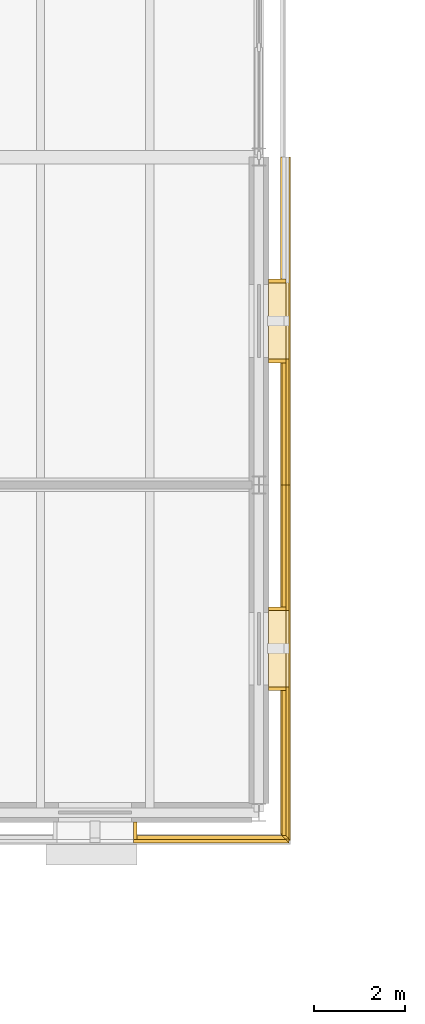
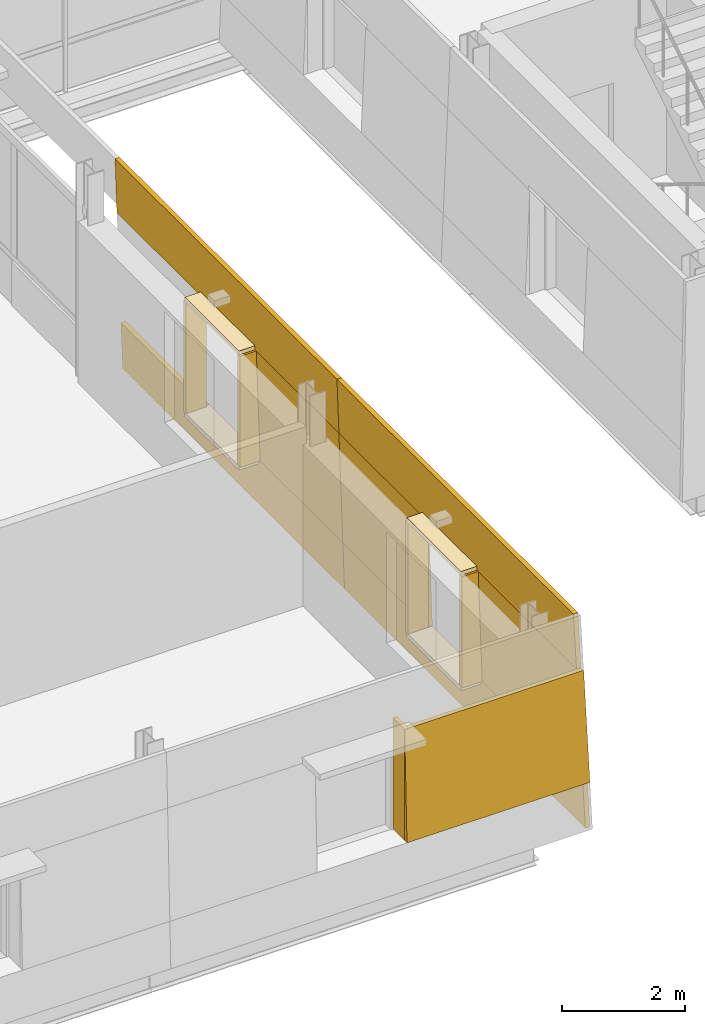
# One storey, part 96 of 115: 17 coverings.
"""IFC4 building model written with IfcOpenShell, lengths in metres."""

from ifc_helpers import new_model, si_unit, direction, frame, origin, place, context, subcontext, project, spatial, polyline, outline, extrude, material, layer, layer_set, type_object, element, save


model = new_model("IFC4")

# Units and contexts
model_context = context("Model", 3, precision=1e-05, world=origin(), true_north=direction((0.0, 1.0)))
body_context = subcontext(model_context, "Body", "Model", "MODEL_VIEW")
ifc_project = project(units=[si_unit("LENGTHUNIT", "METRE"), si_unit("AREAUNIT", "SQUARE_METRE"), si_unit("VOLUMEUNIT", "CUBIC_METRE"), si_unit("PLANEANGLEUNIT", "RADIAN"), si_unit("MASSUNIT", "GRAM", prefix="KILO")], contexts=[model_context])

# Site, building, storey
site_placement = place(None, origin())
site = spatial("IfcSite", under=ifc_project, at=site_placement, CompositionType="ELEMENT")
building_placement = place(site_placement, origin())
building = spatial("IfcBuilding", under=site, at=building_placement, Name="Narikvali Park Central Library", CompositionType="ELEMENT")
storey_placement = place(building_placement, frame((0.0, 0.0, 10.199951171875)))
storey = spatial("IfcBuildingStorey", under=building, at=storey_placement, Name="L02", CompositionType="ELEMENT", Elevation=10.199951171875)

# Coverings
ifc_material = material(Name="White Honed Limestone Cladding", Category="masonry")
ifc_layer_1 = layer(ifc_material, 0.0849609375, Name="White Honed Limestone Cladding")
ifc_layer_set_1 = layer_set([ifc_layer_1], Name="White Honed Limestone Cladding")
covering_type_1 = type_object("IfcCoveringType", Name="Battered White Limestone Facade Cladding Panel", PredefinedType="CLADDING", material=ifc_layer_set_1)
covering_1_placement = place(storey_placement, frame((54.840087890625, 49.734619140625, 0.920166015625), z_axis=(0.0, -0.999435139525, 0.033606574995), x_axis=(1.0, 0.0, 0.0)))
element("IfcCovering", 1, at=covering_1_placement, inside=storey, type_object=covering_type_1, Name="V4 L02 S Battered Limestone Jamb Pier R B04", PredefinedType="CLADDING", context=body_context, shape_type="SweptSolid", body=[
    extrude(outline(polyline([(0.0, 0.0), (3.42529296875, 0.0), (3.351318359375, 2.2011945396684887), (0.0, 2.2011945396684887), (0.0, 0.0)])), origin(), (0.0, 0.0, -1.0), 0.0849609375),
])
covering_2_placement = place(storey_placement, frame((58.29638671875, 49.78857421875, 0.0), z_axis=(0.999432774777, 0.0, 0.03367682738), x_axis=(0.0, 1.0, 0.0)))
element("IfcCovering", 2, at=covering_2_placement, inside=storey, type_object=covering_type_1, Name="V4 L02 E Battered Limestone Spandrel B01", PredefinedType="CLADDING", context=body_context, shape_type="SweptSolid", body=[
    extrude(outline(polyline([(0.0, 0.0), (7.8115234375, 0.0), (7.8115234375, 0.9206882532251458), (0.031005859375, 0.9206882532251458), (0.0, 0.0)])), origin(), (0.0, 0.0, -1.0), 0.0849609375),
])
covering_3_placement = place(storey_placement, frame((58.19140625, 49.893798828125, 3.1201171875), z_axis=(0.999425428317, 0.0, 0.033894147467), x_axis=(0.0, 1.0, 0.0)))
element("IfcCovering", 3, at=covering_3_placement, inside=storey, type_object=covering_type_1, Name="V4 L02 E Battered Limestone Lintel B01", PredefinedType="CLADDING", context=body_context, shape_type="SweptSolid", body=[
    extrude(outline(polyline([(0.0, 0.0), (7.706298828125, 0.0), (7.706298828125, 1.0804547830976703), (0.036376953125, 1.0804547830976703), (0.0, 0.0)])), origin(), (0.0, 0.0, -1.0), 0.0849609375),
])
covering_4_placement = place(storey_placement, frame((58.265380859375, 49.819580078125, 0.920166015625), z_axis=(0.999435139525, 0.0, 0.033606574995), x_axis=(0.0, 1.0, 0.0)))
element("IfcCovering", 4, at=covering_4_placement, inside=storey, type_object=covering_type_1, Name="V4 L02 E Battered Limestone Jamb Pier L B01", PredefinedType="CLADDING", context=body_context, shape_type="SweptSolid", body=[
    extrude(outline(polyline([(0.0, 0.0), (3.34033203125, 0.0), (3.34033203125, 2.201194539668488), (0.07421875, 2.201194539668488), (0.0, 0.0)])), origin(), (0.0, 0.0, -1.0), 0.0849609375),
])
covering_5_placement = place(storey_placement, frame((58.265380859375, 54.840087890625, 0.920166015625), z_axis=(0.999435139525, 0.0, 0.033606574995), x_axis=(0.0, 1.0, 0.0)))
element("IfcCovering", 5, at=covering_5_placement, inside=storey, type_object=covering_type_1, Name="V4 L02 E Battered Limestone Jamb Pier R B01", PredefinedType="CLADDING", context=body_context, shape_type="SweptSolid", body=[
    extrude(outline(polyline([(0.0, 0.0), (2.760009765625, 0.0), (2.760009765625, 2.201194539668489), (0.0, 2.201194539668489), (0.0, 0.0)])), origin(), (0.0, 0.0, -1.0), 0.0849609375),
])
covering_6_placement = place(storey_placement, frame((58.29638671875, 57.60009765625, 0.0), z_axis=(0.999432774777, 0.0, 0.03367682738), x_axis=(0.0, 1.0, 0.0)))
element("IfcCovering", 6, at=covering_6_placement, inside=storey, type_object=covering_type_1, Name="V4 L02 E Battered Limestone Spandrel B02", PredefinedType="CLADDING", context=body_context, shape_type="SweptSolid", body=[
    extrude(outline(polyline([(0.0, 0.0), (7.199951171875, 0.0), (7.199951171875, 0.9206882532251458), (0.0, 0.9206882532251458), (0.0, 0.0)])), origin(), (0.0, 0.0, -1.0), 0.0849609375),
])
covering_7_placement = place(storey_placement, frame((58.19140625, 57.60009765625, 3.1201171875), z_axis=(0.999425428317, 0.0, 0.033894147467), x_axis=(0.0, 1.0, 0.0)))
element("IfcCovering", 7, at=covering_7_placement, inside=storey, type_object=covering_type_1, Name="V4 L02 E Battered Limestone Lintel B02", PredefinedType="CLADDING", context=body_context, shape_type="SweptSolid", body=[
    extrude(outline(polyline([(0.0, 0.0), (7.199951171875, 0.0), (7.199951171875, 1.0804547830976703), (0.0, 1.0804547830976703), (0.0, 0.0)])), origin(), (0.0, 0.0, -1.0), 0.0849609375),
])
covering_8_placement = place(storey_placement, frame((58.265380859375, 57.60009765625, 0.920166015625), z_axis=(0.999435139525, 0.0, 0.033606574995), x_axis=(0.0, 1.0, 0.0)))
element("IfcCovering", 8, at=covering_8_placement, inside=storey, type_object=covering_type_1, Name="V4 L02 E Battered Limestone Jamb Pier L B02", PredefinedType="CLADDING", context=body_context, shape_type="SweptSolid", body=[
    extrude(outline(polyline([(0.0, 0.0), (2.760009765625, 0.0), (2.760009765625, 2.201194539668489), (0.0, 2.201194539668489), (0.0, 0.0)])), origin(), (0.0, 0.0, -1.0), 0.0849609375),
])
ifc_layer_2 = layer(ifc_material, 0.080078125, Name="White Honed Limestone Cladding")
ifc_layer_set_2 = layer_set([ifc_layer_2], Name="White Honed Limestone Cladding")
covering_type_2 = type_object("IfcCoveringType", Name="Deep Carved White Limestone Window Reveal", PredefinedType="CLADDING", material=ifc_layer_set_2)
covering_9_placement = place(storey_placement, frame((0.0, 0.0, 0.920166015625)))
element("IfcCovering", 9, at=covering_9_placement, inside=storey, type_object=covering_type_2, Name="Deep Stone Reveal Jamb R V4-RVL-L02-S-B04", PredefinedType="CLADDING", context=body_context, shape_type="SweptSolid", body=[
    extrude(outline(polyline([(54.840087890625, 50.195068359375), (54.919921875, 50.195068359375), (54.919921875, 49.80859375), (54.840087890625, 49.80859375), (54.840087890625, 50.195068359375)])), origin(), (0.0, 0.0, 1.0), 2.199951171875),
])
covering_10_placement = place(storey_placement, frame((0.0, 0.0, 3.1201171875)))
element("IfcCovering", 10, at=covering_10_placement, inside=storey, type_object=covering_type_2, Name="Deep Stone Reveal Head V4-RVL-L02-E-B01", PredefinedType="CLADDING", context=body_context, shape_type="SweptSolid", body=[
    extrude(outline(polyline([(57.804931640625, 53.1201171875), (57.804931640625, 54.8798828125), (58.19140625, 54.8798828125), (58.19140625, 53.1201171875), (57.804931640625, 53.1201171875)])), origin(), (0.0, 0.0, 1.0), 0.079833984375),
])
covering_11_placement = place(storey_placement, frame((0.0, 0.0, 0.840087890625)))
element("IfcCovering", 11, at=covering_11_placement, inside=storey, type_object=covering_type_2, Name="Deep Stone Reveal Sill V4-RVL-L02-E-B01", PredefinedType="CLADDING", context=body_context, shape_type="SweptSolid", body=[
    extrude(outline(polyline([(57.804931640625, 53.1201171875), (57.804931640625, 54.8798828125), (58.265380859375, 54.8798828125), (58.265380859375, 53.1201171875), (57.804931640625, 53.1201171875)])), origin(), (0.0, 0.0, 1.0), 0.080078125),
])
covering_12_placement = place(storey_placement, frame((0.0, 0.0, 0.920166015625)))
element("IfcCovering", 12, at=covering_12_placement, inside=storey, type_object=covering_type_2, Name="Deep Stone Reveal Jamb L V4-RVL-L02-E-B01", PredefinedType="CLADDING", context=body_context, shape_type="SweptSolid", body=[
    extrude(outline(polyline([(57.804931640625, 53.080078125), (57.804931640625, 53.159912109375), (58.19140625, 53.159912109375), (58.19140625, 53.080078125), (57.804931640625, 53.080078125)])), origin(), (0.0, 0.0, 1.0), 2.199951171875),
])
covering_13_placement = place(storey_placement, frame((0.0, 0.0, 0.920166015625)))
element("IfcCovering", 13, at=covering_13_placement, inside=storey, type_object=covering_type_2, Name="Deep Stone Reveal Jamb R V4-RVL-L02-E-B01", PredefinedType="CLADDING", context=body_context, shape_type="SweptSolid", body=[
    extrude(outline(polyline([(57.804931640625, 54.840087890625), (57.804931640625, 54.919921875), (58.19140625, 54.919921875), (58.19140625, 54.840087890625), (57.804931640625, 54.840087890625)])), origin(), (0.0, 0.0, 1.0), 2.199951171875),
])
covering_14_placement = place(storey_placement, frame((0.0, 0.0, 3.1201171875)))
element("IfcCovering", 14, at=covering_14_placement, inside=storey, type_object=covering_type_2, Name="Deep Stone Reveal Head V4-RVL-L02-E-B02", PredefinedType="CLADDING", context=body_context, shape_type="SweptSolid", body=[
    extrude(outline(polyline([(57.804931640625, 60.320068359375), (57.804931640625, 62.080078125), (58.19140625, 62.080078125), (58.19140625, 60.320068359375), (57.804931640625, 60.320068359375)])), origin(), (0.0, 0.0, 1.0), 0.079833984375),
])
covering_15_placement = place(storey_placement, frame((0.0, 0.0, 0.840087890625)))
element("IfcCovering", 15, at=covering_15_placement, inside=storey, type_object=covering_type_2, Name="Deep Stone Reveal Sill V4-RVL-L02-E-B02", PredefinedType="CLADDING", context=body_context, shape_type="SweptSolid", body=[
    extrude(outline(polyline([(57.804931640625, 60.320068359375), (57.804931640625, 62.080078125), (58.265380859375, 62.080078125), (58.265380859375, 60.320068359375), (57.804931640625, 60.320068359375)])), origin(), (0.0, 0.0, 1.0), 0.080078125),
])
covering_16_placement = place(storey_placement, frame((0.0, 0.0, 0.920166015625)))
element("IfcCovering", 16, at=covering_16_placement, inside=storey, type_object=covering_type_2, Name="Deep Stone Reveal Jamb L V4-RVL-L02-E-B02", PredefinedType="CLADDING", context=body_context, shape_type="SweptSolid", body=[
    extrude(outline(polyline([(57.804931640625, 60.280029296875), (57.804931640625, 60.360107421875), (58.19140625, 60.360107421875), (58.19140625, 60.280029296875), (57.804931640625, 60.280029296875)])), origin(), (0.0, 0.0, 1.0), 2.199951171875),
])
covering_17_placement = place(storey_placement, frame((0.0, 0.0, 0.920166015625)))
element("IfcCovering", 17, at=covering_17_placement, inside=storey, type_object=covering_type_2, Name="Deep Stone Reveal Jamb R V4-RVL-L02-E-B02", PredefinedType="CLADDING", context=body_context, shape_type="SweptSolid", body=[
    extrude(outline(polyline([(57.804931640625, 62.0400390625), (57.804931640625, 62.1201171875), (58.19140625, 62.1201171875), (58.19140625, 62.0400390625), (57.804931640625, 62.0400390625)])), origin(), (0.0, 0.0, 1.0), 2.199951171875),
])

save(model, "model.ifc")
